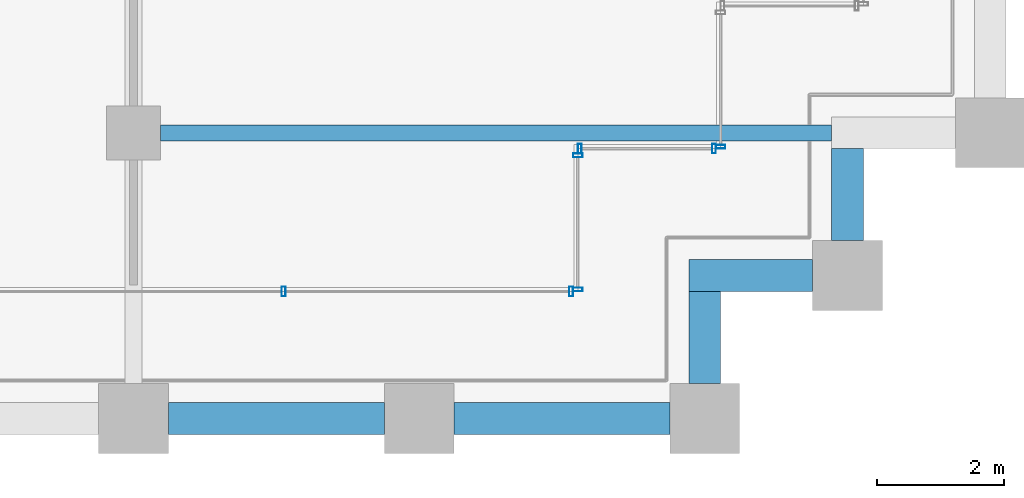
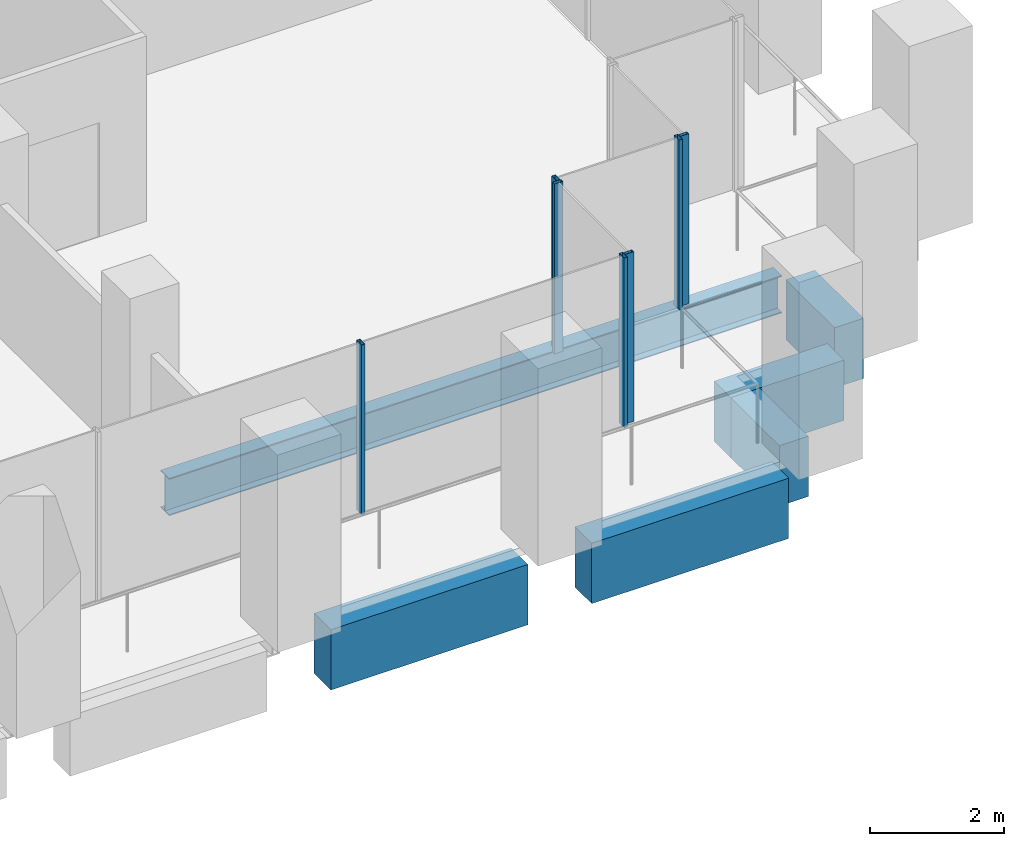
# One storey, part 15 of 56: 7 members, 6 beams, 4 elements without a shape of their own.
"""IFC4 building model written with IfcOpenShell, lengths in metres."""

from ifc_helpers import new_model, si_unit, direction, frame, origin, origin_2d, place, context, subcontext, project, spatial, rectangle, hollow_rectangle, i_section, extrude, material, material_profile, profile_set, type_object, element, aggregate, save


model = new_model("IFC4")

# Units and contexts
model_context = context("Model", 3, precision=1e-05, world=origin(), true_north=direction((0.0, 1.0)))
body_context = subcontext(model_context, "Body", "Model", "MODEL_VIEW")
ifc_project = project(units=[si_unit("LENGTHUNIT", "METRE"), si_unit("AREAUNIT", "SQUARE_METRE"), si_unit("VOLUMEUNIT", "CUBIC_METRE"), si_unit("PLANEANGLEUNIT", "RADIAN"), si_unit("MASSUNIT", "GRAM", prefix="KILO")], contexts=[model_context])

# Site, building, storey
site_placement = place(None, origin())
site = spatial("IfcSite", under=ifc_project, at=site_placement, CompositionType="ELEMENT")
building_placement = place(site_placement, origin())
building = spatial("IfcBuilding", under=site, at=building_placement, Name="Altepetl Exchange Towers", CompositionType="ELEMENT")
storey_placement = place(building_placement, frame((0.0, 0.0, 83.39990234375)))
storey = spatial("IfcBuildingStorey", under=building, at=storey_placement, Name="L20", CompositionType="ELEMENT", Elevation=83.39990234375)

# Beam
ifc_material_1 = material(Name="Steel S355", Category="steel")
ifc_material_profile_1 = material_profile(ifc_material_1, i_section(OverallWidth=0.25390625, OverallDepth=0.68408203125, WebThickness=0.012451171875, FlangeThickness=0.018798828125, at=origin_2d()), Name="W27X94")
ifc_profile_set_1 = profile_set([ifc_material_profile_1], Name="Steel S355")
beam_type_1 = type_object("IfcBeamType", Name="Floor beam W27X94", PredefinedType="BEAM", material=ifc_profile_set_1)
beam_1_placement = place(storey_placement, frame((58.925048828125, 31.5, -0.491943359375), z_axis=(1.0, 0.0, 0.0), x_axis=(0.0, 1.0, 0.0)))
element("IfcBeam", 1, at=beam_1_placement, inside=storey, type_object=beam_type_1, Name="bm:A:L20:006", PredefinedType="BEAM", context=body_context, shape_type="SweptSolid", body=[
    extrude(i_section(OverallWidth=0.25390625, OverallDepth=0.68408203125, WebThickness=0.012451171875, FlangeThickness=0.018798828125, at=origin_2d()), origin(), (0.0, 0.0, 1.0), 10.574951171875),
])

# Curtain wall, members
ifc_material_2 = material(Name="Aluminium 6063-T6 glazing", Category="aluminium")
curtain_wall_type = type_object("IfcCurtainWallType", Name="Loggia glazing system", PredefinedType="NOTDEFINED", material=ifc_material_2)
curtain_wall_1_placement = place(storey_placement, origin())
curtain_wall_1 = element("IfcCurtainWall", 2, at=curtain_wall_1_placement, inside=storey, type_object=curtain_wall_type, Name="CW1 run", PredefinedType="NOTDEFINED")
ifc_material_3 = material(Name="Aluminium 6063-T6", Category="aluminium")
ifc_material_profile_2 = material_profile(ifc_material_3, hollow_rectangle(XDim=0.06005859375, YDim=0.14990234375, WallThickness=0.0029296875, at=origin_2d()), Name="Mullion 60x150 aluminium")
ifc_profile_set_2 = profile_set([ifc_material_profile_2], Name="Aluminium 6063-T6")
member_type = type_object("IfcMemberType", Name="Mullion 60x150 aluminium", PredefinedType="MULLION", material=ifc_profile_set_2)
member_1_placement = place(storey_placement, frame((60.8642578125, 29.0, 0.0)))
member_1 = element("IfcMember", 3, at=member_1_placement, type_object=member_type, Name="MU1 mullion", PredefinedType="MULLION", context=body_context, shape_type="SweptSolid", body=[
    extrude(hollow_rectangle(XDim=0.06005859375, YDim=0.14990234375, WallThickness=0.0029296875, at=origin_2d()), origin(), (0.0, 0.0, 1.0), 3.10009765625),
])
member_2_placement = place(storey_placement, frame((65.39501953125, 29.0, 0.0)))
member_2 = element("IfcMember", 4, at=member_2_placement, type_object=member_type, Name="MU1 mullion", PredefinedType="MULLION", context=body_context, shape_type="SweptSolid", body=[
    extrude(hollow_rectangle(XDim=0.06005859375, YDim=0.14990234375, WallThickness=0.0029296875, at=origin_2d()), origin(), (0.0, 0.0, 1.0), 3.10009765625),
])
aggregate(curtain_wall_1, [member_1, member_2])

curtain_wall_2_placement = place(storey_placement, origin())
curtain_wall_2 = element("IfcCurtainWall", 5, at=curtain_wall_2_placement, inside=storey, type_object=curtain_wall_type, Name="CW1 run", PredefinedType="NOTDEFINED")
member_3_placement = place(storey_placement, frame((65.5, 29.030029296875, 0.0), z_axis=(0.0, 0.0, 1.0), x_axis=(0.0, 1.0, 0.0)))
member_3 = element("IfcMember", 6, at=member_3_placement, type_object=member_type, Name="MU1 mullion", PredefinedType="MULLION", context=body_context, shape_type="SweptSolid", body=[
    extrude(hollow_rectangle(XDim=0.06005859375, YDim=0.14990234375, WallThickness=0.0029296875, at=origin_2d()), origin(), (0.0, 0.0, 1.0), 3.10009765625),
])
member_4_placement = place(storey_placement, frame((65.5, 31.14501953125, 0.0), z_axis=(0.0, 0.0, 1.0), x_axis=(0.0, 1.0, 0.0)))
member_4 = element("IfcMember", 7, at=member_4_placement, type_object=member_type, Name="MU1 mullion", PredefinedType="MULLION", context=body_context, shape_type="SweptSolid", body=[
    extrude(hollow_rectangle(XDim=0.06005859375, YDim=0.14990234375, WallThickness=0.0029296875, at=origin_2d()), origin(), (0.0, 0.0, 1.0), 3.10009765625),
])
aggregate(curtain_wall_2, [member_3, member_4])

curtain_wall_3_placement = place(storey_placement, origin())
curtain_wall_3 = element("IfcCurtainWall", 8, at=curtain_wall_3_placement, inside=storey, type_object=curtain_wall_type, Name="CW1 run", PredefinedType="NOTDEFINED")
member_5_placement = place(storey_placement, frame((65.530029296875, 31.25, 0.0)))
member_5 = element("IfcMember", 9, at=member_5_placement, type_object=member_type, Name="MU1 mullion", PredefinedType="MULLION", context=body_context, shape_type="SweptSolid", body=[
    extrude(hollow_rectangle(XDim=0.06005859375, YDim=0.14990234375, WallThickness=0.0029296875, at=origin_2d()), origin(), (0.0, 0.0, 1.0), 3.10009765625),
])
member_6_placement = place(storey_placement, frame((67.64501953125, 31.25, 0.0)))
member_6 = element("IfcMember", 10, at=member_6_placement, type_object=member_type, Name="MU1 mullion", PredefinedType="MULLION", context=body_context, shape_type="SweptSolid", body=[
    extrude(hollow_rectangle(XDim=0.06005859375, YDim=0.14990234375, WallThickness=0.0029296875, at=origin_2d()), origin(), (0.0, 0.0, 1.0), 3.10009765625),
])
aggregate(curtain_wall_3, [member_5, member_6])

# Curtain wall, member
curtain_wall_4_placement = place(storey_placement, origin())
curtain_wall_4 = element("IfcCurtainWall", 11, at=curtain_wall_4_placement, inside=storey, type_object=curtain_wall_type, Name="CW1 run", PredefinedType="NOTDEFINED")
member_7_placement = place(storey_placement, frame((67.75, 31.280029296875, 0.0), z_axis=(0.0, 0.0, 1.0), x_axis=(0.0, 1.0, 0.0)))
member_7 = element("IfcMember", 12, at=member_7_placement, type_object=member_type, Name="MU1 mullion", PredefinedType="MULLION", context=body_context, shape_type="SweptSolid", body=[
    extrude(hollow_rectangle(XDim=0.06005859375, YDim=0.14990234375, WallThickness=0.0029296875, at=origin_2d()), origin(), (0.0, 0.0, 1.0), 3.10009765625),
])
aggregate(curtain_wall_4, [member_7])

# Beams
ifc_material_4 = material(Name="Concrete C50/60 precast with cantera amarilla facing", Category="concrete")
ifc_material_profile_3 = material_profile(ifc_material_4, rectangle(XDim=0.5, YDim=1.10009765625, at=origin_2d()), Name="500 x 1100")
ifc_profile_set_3 = profile_set([ifc_material_profile_3], Name="Concrete C50/60 precast with cantera amarilla facing")
beam_type_2 = type_object("IfcBeamType", Name="Spandrel beam 500x1100 cantera amarilla", PredefinedType="SPANDREL", material=ifc_profile_set_3)
for number, where, z_axis, x_axis, name in (
    (13, (59.050048828125, 27.0, -0.699951171875), (1.0, 0.0, 0.0), (0.0, 1.0, 0.0), "sp:A:L20:006"),
    (14, (63.550048828125, 27.0, -0.699951171875), (1.0, 0.0, 0.0), (0.0, 1.0, 0.0), "sp:A:L20:007"),
):
    element("IfcBeam", number, at=place(storey_placement, frame(where, z_axis=z_axis, x_axis=x_axis)), inside=storey, type_object=beam_type_2, Name=name, PredefinedType="SPANDREL", context=body_context, shape_type="SweptSolid", body=[
        extrude(rectangle(XDim=0.5, YDim=1.10009765625, at=origin_2d()), origin(), (0.0, 0.0, 1.0), 3.39990234375),
    ])
beam_2_placement = place(storey_placement, frame((67.5, 27.550048828125, -0.699951171875), z_axis=(0.0, 1.0, 0.0), x_axis=(-1.0, 0.0, 0.0)))
element("IfcBeam", 15, at=beam_2_placement, inside=storey, type_object=beam_type_2, Name="sp:A:L20:008", PredefinedType="SPANDREL", context=body_context, shape_type="SweptSolid", body=[
    extrude(rectangle(XDim=0.5, YDim=1.10009765625, at=origin_2d()), origin(), (0.0, 0.0, 1.0), 1.449951171875),
])
beam_3_placement = place(storey_placement, frame((67.25, 29.25, -0.699951171875), z_axis=(1.0, 0.0, 0.0), x_axis=(0.0, 1.0, 0.0)))
element("IfcBeam", 16, at=beam_3_placement, inside=storey, type_object=beam_type_2, Name="sp:A:L20:009", PredefinedType="SPANDREL", context=body_context, shape_type="SweptSolid", body=[
    extrude(rectangle(XDim=0.5, YDim=1.10009765625, at=origin_2d()), origin(), (0.0, 0.0, 1.0), 1.949951171875),
])
beam_4_placement = place(storey_placement, frame((69.75, 29.800048828125, -0.699951171875), z_axis=(0.0, 1.0, 0.0), x_axis=(-1.0, 0.0, 0.0)))
element("IfcBeam", 17, at=beam_4_placement, inside=storey, type_object=beam_type_2, Name="sp:A:L20:010", PredefinedType="SPANDREL", context=body_context, shape_type="SweptSolid", body=[
    extrude(rectangle(XDim=0.5, YDim=1.10009765625, at=origin_2d()), origin(), (0.0, 0.0, 1.0), 1.449951171875),
])

save(model, "model.ifc")
